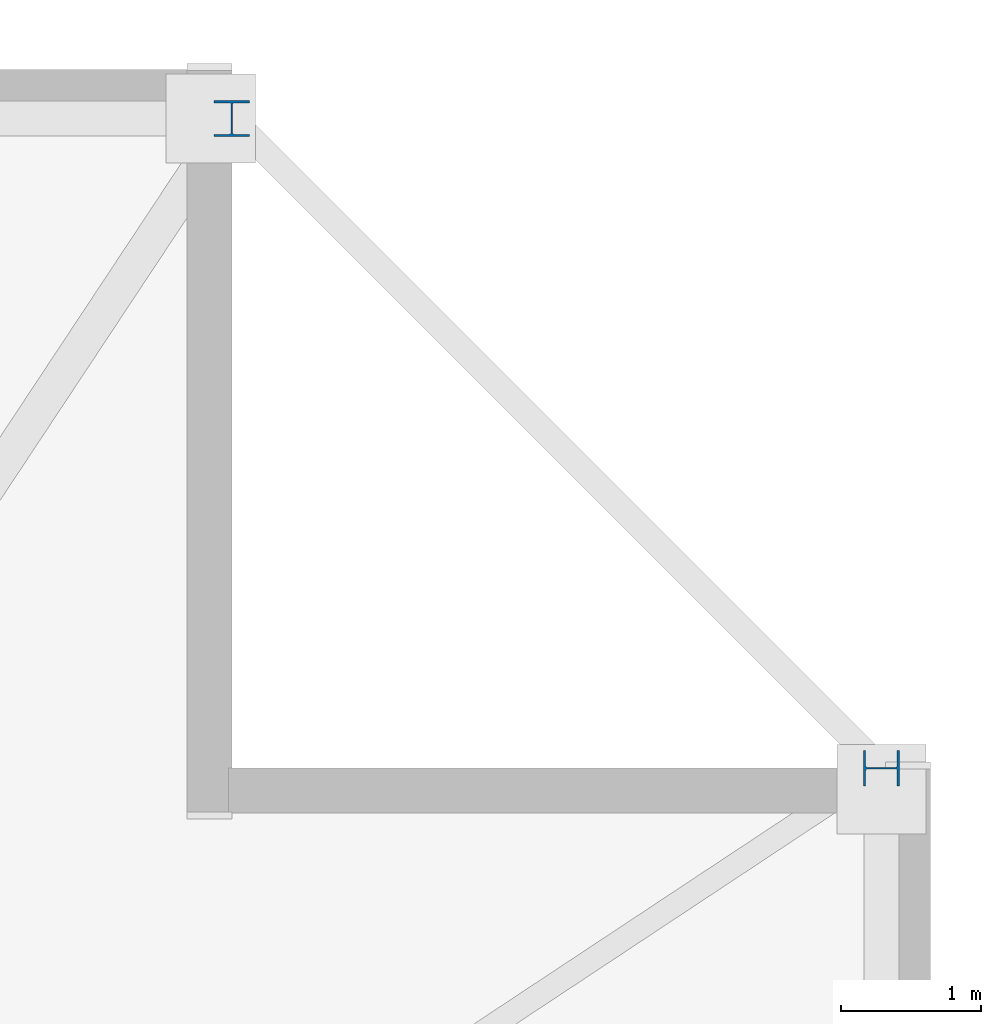
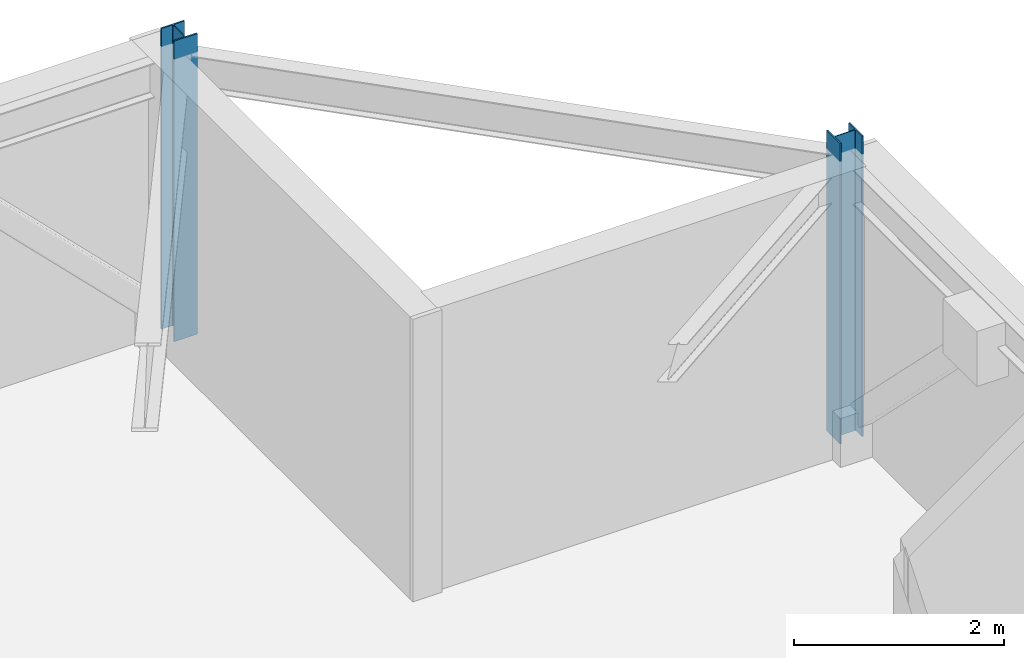
# One storey, part 5 of 17: 2 columns.
"""IFC4 building model written with IfcOpenShell, lengths in metres."""

from ifc_helpers import new_model, si_unit, direction, frame, origin, origin_2d, place, context, subcontext, project, spatial, i_section, extrude, material, material_profile, profile_set, type_object, element, save


model = new_model("IFC4")

# Units and contexts
model_context = context("Model", 3, precision=1e-05, world=origin(), true_north=direction((0.0, 1.0)))
body_context = subcontext(model_context, "Body", "Model", "MODEL_VIEW")
ifc_project = project(units=[si_unit("LENGTHUNIT", "METRE"), si_unit("AREAUNIT", "SQUARE_METRE"), si_unit("VOLUMEUNIT", "CUBIC_METRE"), si_unit("PLANEANGLEUNIT", "RADIAN"), si_unit("MASSUNIT", "GRAM", prefix="KILO")], contexts=[model_context])

# Site, building, storey
site_placement = place(None, origin())
site = spatial("IfcSite", under=ifc_project, at=site_placement, CompositionType="ELEMENT")
building_placement = place(site_placement, origin())
building = spatial("IfcBuilding", under=site, at=building_placement, Name="Cairnveth Concourse Tower", CompositionType="ELEMENT")
storey_placement = place(building_placement, frame((0.0, 0.0, 262.0)))
storey = spatial("IfcBuildingStorey", under=building, at=storey_placement, Name="L72", CompositionType="ELEMENT", Elevation=262.0)

# Columns
ifc_material = material(Name="Steel Grade 350", Category="steel")
ifc_material_profile = material_profile(ifc_material, i_section(OverallWidth=0.256103515625, OverallDepth=0.260009765625, WebThickness=0.010498046875, FlangeThickness=0.017333984375, FilletRadius=0.012939453125, at=origin_2d()), Name="250UC89.5")
ifc_profile_set = profile_set([ifc_material_profile], Name="Steel Grade 350")
column_type = type_object("IfcColumnType", Name="UNIVERSAL STEEL COLUMN 250UC89.5", PredefinedType="COLUMN", material=ifc_profile_set)
for number, where, z_axis, x_axis, name in (
    (1, (74.14990234375, 56.5, 0.0), (0.0, 0.0, 1.0), (0.0, 1.0, 0.0), "Column P-E4 L72"),
    (2, (69.5, 61.14990234375, 0.0), (0.0, 0.0, 1.0), (1.0, 0.0, 0.0), "Column P-N1 L72"),
):
    element("IfcColumn", number, at=place(storey_placement, frame(where, z_axis=z_axis, x_axis=x_axis)), inside=storey, type_object=column_type, Name=name, PredefinedType="COLUMN", context=body_context, shape_type="SweptSolid", body=[
        extrude(i_section(OverallWidth=0.256103515625, OverallDepth=0.260009765625, WebThickness=0.010498046875, FlangeThickness=0.017333984375, FilletRadius=0.012939453125, at=origin_2d()), origin(), (0.0, 0.0, 1.0), 3.5),
    ])

save(model, "model.ifc")
